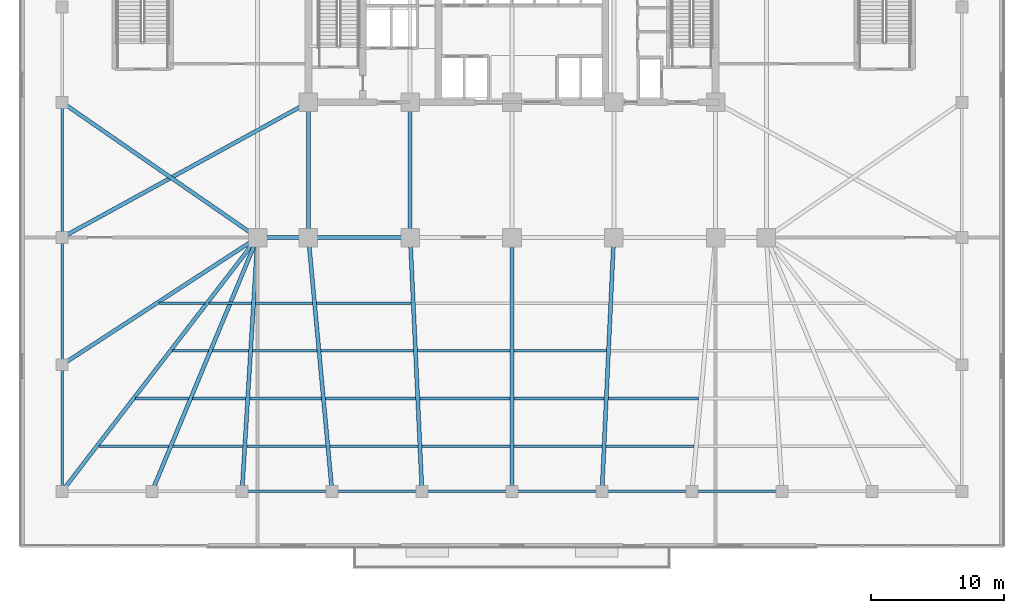
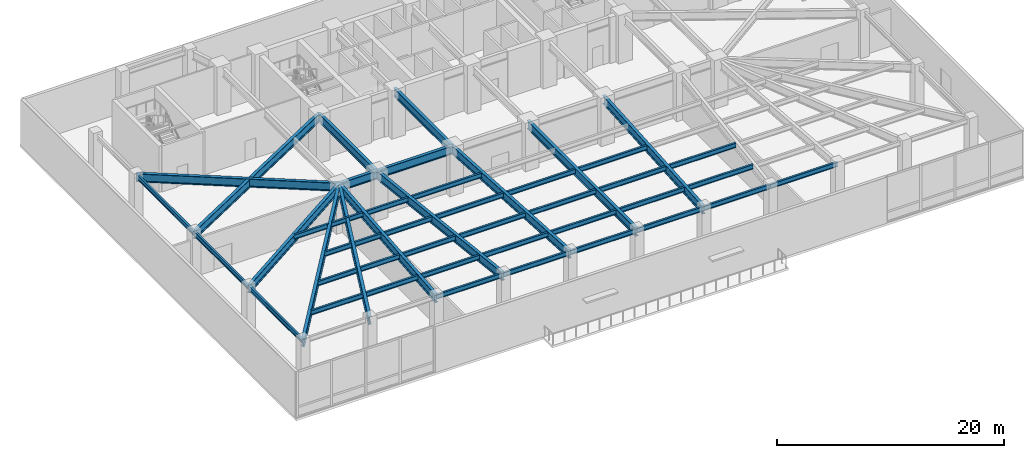
# One storey, part 3 of 15: 47 beams.
"""IFC4 building model written with IfcOpenShell, lengths in metres."""

from ifc_helpers import new_model, si_unit, direction, frame, origin, origin_2d, place, context, subcontext, project, spatial, i_section, extrude, material, material_profile, profile_set, type_object, element, save


model = new_model("IFC4")

# Units and contexts
model_context = context("Model", 3, precision=1e-05, world=origin(), true_north=direction((0.0, 1.0)))
body_context = subcontext(model_context, "Body", "Model", "MODEL_VIEW")
ifc_project = project(units=[si_unit("LENGTHUNIT", "METRE"), si_unit("AREAUNIT", "SQUARE_METRE"), si_unit("VOLUMEUNIT", "CUBIC_METRE"), si_unit("PLANEANGLEUNIT", "RADIAN"), si_unit("MASSUNIT", "GRAM", prefix="KILO")], contexts=[model_context])

# Site, building, storey
site_placement = place(None, origin())
site = spatial("IfcSite", under=ifc_project, at=site_placement, CompositionType="ELEMENT")
building_placement = place(site_placement, origin())
building = spatial("IfcBuilding", under=site, at=building_placement, Name="Yelkora Congress Tower", CompositionType="ELEMENT")
storey_placement = place(building_placement, frame((0.0, 0.0, 10.39990234375)))
storey = spatial("IfcBuildingStorey", under=building, at=storey_placement, Name="L02", CompositionType="ELEMENT", Elevation=10.39990234375)

# Beams
ifc_material_1 = material(Name="Steel S460M", Category="steel")
ifc_material_profile_1 = material_profile(ifc_material_1, i_section(OverallWidth=0.300048828125, OverallDepth=0.89990234375, WebThickness=0.0185546875, FlangeThickness=0.034912109375, FilletRadius=0.030029296875, at=origin_2d()), Name="HEB 900")
ifc_profile_set_1 = profile_set([ifc_material_profile_1], Name="Steel S460M")
beam_type_1 = type_object("IfcBeamType", Name="BM-HALL-HEB900", PredefinedType="BEAM", material=ifc_profile_set_1)
beam_1_placement = place(storey_placement, frame((19.199951171875, 25.199951171875, 4.489990234375), z_axis=(1.0, 0.0, 0.0), x_axis=(0.0, 1.0, 0.0)))
element("IfcBeam", 1, at=beam_1_placement, inside=storey, type_object=beam_type_1, Name="L02 Spine Grid D Girder 1", PredefinedType="BEAM", context=body_context, shape_type="SweptSolid", body=[
    extrude(i_section(OverallWidth=0.300048828125, OverallDepth=0.89990234375, WebThickness=0.0185546875, FlangeThickness=0.034912109375, FilletRadius=0.030029296875, at=origin_2d()), origin(), (0.0, 0.0, 1.0), 3.840087890625),
])
beam_2_placement = place(storey_placement, frame((23.0400390625, 25.199951171875, 4.489990234375), z_axis=(1.0, 0.0, 0.0), x_axis=(0.0, 1.0, 0.0)))
element("IfcBeam", 2, at=beam_2_placement, inside=storey, type_object=beam_type_1, Name="L02 Spine Grid D Girder 2", PredefinedType="BEAM", context=body_context, shape_type="SweptSolid", body=[
    extrude(i_section(OverallWidth=0.300048828125, OverallDepth=0.89990234375, WebThickness=0.0185546875, FlangeThickness=0.034912109375, FilletRadius=0.030029296875, at=origin_2d()), origin(), (0.0, 0.0, 1.0), 7.679931640625),
])
for number, where, z_axis, x_axis, name in (
    (3, (23.0400390625, 25.199951171875, 4.489990234375), (0.0, 1.0, 0.0), (-1.0, 0.0, 0.0), "L02 Core Tie Girder MC-D1"),
    (4, (30.719970703125, 25.199951171875, 4.489990234375), (0.0, 1.0, 0.0), (-1.0, 0.0, 0.0), "L02 Core Tie Girder MC-D2"),
):
    element("IfcBeam", number, at=place(storey_placement, frame(where, z_axis=z_axis, x_axis=x_axis)), inside=storey, type_object=beam_type_1, Name=name, PredefinedType="BEAM", context=body_context, shape_type="SweptSolid", body=[
        extrude(i_section(OverallWidth=0.300048828125, OverallDepth=0.89990234375, WebThickness=0.0185546875, FlangeThickness=0.034912109375, FilletRadius=0.030029296875, at=origin_2d()), origin(), (0.0, 0.0, 1.0), 10.199951171875),
    ])
beam_3_placement = place(storey_placement, frame((4.449951171875, 6.050048828125, 4.489990234375), z_axis=(0.610212418574, 0.792237845737, 0.0), x_axis=(-0.792237845737, 0.610212418574, 0.0)))
element("IfcBeam", 5, at=beam_3_placement, inside=storey, type_object=beam_type_1, Name="L02 Primary Frame Girder PS01", PredefinedType="BEAM", context=body_context, shape_type="SweptSolid", body=[
    extrude(i_section(OverallWidth=0.300048828125, OverallDepth=0.89990234375, WebThickness=0.0185546875, FlangeThickness=0.034912109375, FilletRadius=0.030029296875, at=origin_2d()), origin(), (0.0, 0.0, 1.0), 24.171875),
])
beam_4_placement = place(storey_placement, frame((11.239990234375, 6.050048828125, 4.489990234375), z_axis=(0.383827816401, 0.923404682334, 0.0), x_axis=(-0.923404682334, 0.383827816401, 0.0)))
element("IfcBeam", 6, at=beam_4_placement, inside=storey, type_object=beam_type_1, Name="L02 Primary Frame Girder PS02", PredefinedType="BEAM", context=body_context, shape_type="SweptSolid", body=[
    extrude(i_section(OverallWidth=0.300048828125, OverallDepth=0.89990234375, WebThickness=0.0185546875, FlangeThickness=0.034912109375, FilletRadius=0.030029296875, at=origin_2d()), origin(), (0.0, 0.0, 1.0), 20.73828125),
])
beam_5_placement = place(storey_placement, frame((18.030029296875, 6.050048828125, 4.489990234375), z_axis=(0.060979146345, 0.99813904027, 0.0), x_axis=(-0.99813904027, 0.060979146345, 0.0)))
element("IfcBeam", 7, at=beam_5_placement, inside=storey, type_object=beam_type_1, Name="L02 Primary Frame Girder PS03", PredefinedType="BEAM", context=body_context, shape_type="SweptSolid", body=[
    extrude(i_section(OverallWidth=0.300048828125, OverallDepth=0.89990234375, WebThickness=0.0185546875, FlangeThickness=0.034912109375, FilletRadius=0.030029296875, at=origin_2d()), origin(), (0.0, 0.0, 1.0), 19.185546875),
])
beam_6_placement = place(storey_placement, frame((24.820068359375, 6.050048828125, 4.489990234375), z_axis=(-0.092553417869, 0.995707720589, 0.0), x_axis=(-0.995707720589, -0.092553417869, 0.0)))
element("IfcBeam", 8, at=beam_6_placement, inside=storey, type_object=beam_type_1, Name="L02 Primary Frame Girder PS04", PredefinedType="BEAM", context=body_context, shape_type="SweptSolid", body=[
    extrude(i_section(OverallWidth=0.300048828125, OverallDepth=0.89990234375, WebThickness=0.0185546875, FlangeThickness=0.034912109375, FilletRadius=0.030029296875, at=origin_2d()), origin(), (0.0, 0.0, 1.0), 19.232421875),
])
beam_7_placement = place(storey_placement, frame((31.610107421875, 6.050048828125, 4.489990234375), z_axis=(-0.046432437641, 0.998921432714, 0.0), x_axis=(-0.998921432714, -0.046432437641, 0.0)))
element("IfcBeam", 9, at=beam_7_placement, inside=storey, type_object=beam_type_1, Name="L02 Primary Frame Girder PS05", PredefinedType="BEAM", context=body_context, shape_type="SweptSolid", body=[
    extrude(i_section(OverallWidth=0.300048828125, OverallDepth=0.89990234375, WebThickness=0.0185546875, FlangeThickness=0.034912109375, FilletRadius=0.030029296875, at=origin_2d()), origin(), (0.0, 0.0, 1.0), 19.170654296875),
])
beam_8_placement = place(storey_placement, frame((38.39990234375, 6.050048828125, 4.489990234375), z_axis=(0.0, 1.0, 0.0), x_axis=(-1.0, 0.0, 0.0)))
element("IfcBeam", 10, at=beam_8_placement, inside=storey, type_object=beam_type_1, Name="L02 Primary Frame Girder PS06", PredefinedType="BEAM", context=body_context, shape_type="SweptSolid", body=[
    extrude(i_section(OverallWidth=0.300048828125, OverallDepth=0.89990234375, WebThickness=0.0185546875, FlangeThickness=0.034912109375, FilletRadius=0.030029296875, at=origin_2d()), origin(), (0.0, 0.0, 1.0), 19.14990234375),
])
beam_9_placement = place(storey_placement, frame((45.18994140625, 6.050048828125, 4.489990234375), z_axis=(0.046432437641, 0.998921432714, 0.0), x_axis=(-0.998921432714, 0.046432437641, 0.0)))
element("IfcBeam", 11, at=beam_9_placement, inside=storey, type_object=beam_type_1, Name="L02 Primary Frame Girder PS07", PredefinedType="BEAM", context=body_context, shape_type="SweptSolid", body=[
    extrude(i_section(OverallWidth=0.300048828125, OverallDepth=0.89990234375, WebThickness=0.0185546875, FlangeThickness=0.034912109375, FilletRadius=0.030029296875, at=origin_2d()), origin(), (0.0, 0.0, 1.0), 19.170654296875),
])
beam_10_placement = place(storey_placement, frame((4.449951171875, 15.60009765625, 4.489990234375), z_axis=(0.83812272066, 0.545481718404, 0.0), x_axis=(-0.545481718404, 0.83812272066, 0.0)))
element("IfcBeam", 12, at=beam_10_placement, inside=storey, type_object=beam_type_1, Name="L02 Primary Frame Girder PW1", PredefinedType="BEAM", context=body_context, shape_type="SweptSolid", body=[
    extrude(i_section(OverallWidth=0.300048828125, OverallDepth=0.89990234375, WebThickness=0.0185546875, FlangeThickness=0.034912109375, FilletRadius=0.030029296875, at=origin_2d()), origin(), (0.0, 0.0, 1.0), 17.598876953125),
])
beam_11_placement = place(storey_placement, frame((4.449951171875, 25.199951171875, 4.489990234375), z_axis=(0.876705282536, 0.48102790727, 0.0), x_axis=(-0.48102790727, 0.876705282536, 0.0)))
element("IfcBeam", 13, at=beam_11_placement, inside=storey, type_object=beam_type_1, Name="L02 Primary Frame Girder PW2", PredefinedType="BEAM", context=body_context, shape_type="SweptSolid", body=[
    extrude(i_section(OverallWidth=0.300048828125, OverallDepth=0.89990234375, WebThickness=0.0185546875, FlangeThickness=0.034912109375, FilletRadius=0.030029296875, at=origin_2d()), origin(), (0.0, 0.0, 1.0), 21.20458984375),
])
beam_12_placement = place(storey_placement, frame((4.449951171875, 35.39990234375, 4.489990234375), z_axis=(0.822494466498, -0.568773111689, 0.0), x_axis=(0.568773111689, 0.822494466498, 0.0)))
element("IfcBeam", 14, at=beam_12_placement, inside=storey, type_object=beam_type_1, Name="L02 Primary Frame Girder PW3", PredefinedType="BEAM", context=body_context, shape_type="SweptSolid", body=[
    extrude(i_section(OverallWidth=0.300048828125, OverallDepth=0.89990234375, WebThickness=0.0185546875, FlangeThickness=0.034912109375, FilletRadius=0.030029296875, at=origin_2d()), origin(), (0.0, 0.0, 1.0), 17.933349609375),
])
ifc_material_2 = material(Name="Steel S355J2", Category="steel")
ifc_material_profile_2 = material_profile(ifc_material_2, i_section(OverallWidth=0.199951171875, OverallDepth=0.5, WebThickness=0.01025390625, FlangeThickness=0.01611328125, FilletRadius=0.02099609375, at=origin_2d()), Name="IPE 500")
ifc_profile_set_2 = profile_set([ifc_material_profile_2], Name="Steel S355J2")
beam_type_2 = type_object("IfcBeamType", Name="BM-JOIST-IPE500", PredefinedType="JOIST", material=ifc_profile_set_2)
beam_13_placement = place(storey_placement, frame((7.228759765625, 9.449951171875, 4.690185546875), z_axis=(1.0, 0.0, 0.0), x_axis=(0.0, 1.0, 0.0)))
element("IfcBeam", 15, at=beam_13_placement, inside=storey, type_object=beam_type_2, Name="L02 Composite Floor Joist 1", PredefinedType="JOIST", context=body_context, shape_type="SweptSolid", body=[
    extrude(i_section(OverallWidth=0.199951171875, OverallDepth=0.5, WebThickness=0.01025390625, FlangeThickness=0.01611328125, FilletRadius=0.02099609375, at=origin_2d()), origin(), (0.0, 0.0, 1.0), 5.2646484375),
])
beam_14_placement = place(storey_placement, frame((12.813232421875, 9.449951171875, 4.690185546875), z_axis=(1.0, 0.0, 0.0), x_axis=(0.0, 1.0, 0.0)))
element("IfcBeam", 16, at=beam_14_placement, inside=storey, type_object=beam_type_2, Name="L02 Composite Floor Joist 2", PredefinedType="JOIST", context=body_context, shape_type="SweptSolid", body=[
    extrude(i_section(OverallWidth=0.199951171875, OverallDepth=0.5, WebThickness=0.01025390625, FlangeThickness=0.01611328125, FilletRadius=0.02099609375, at=origin_2d()), origin(), (0.0, 0.0, 1.0), 5.264404296875),
])
beam_15_placement = place(storey_placement, frame((18.397705078125, 9.449951171875, 4.690185546875), z_axis=(1.0, 0.0, 0.0), x_axis=(0.0, 1.0, 0.0)))
element("IfcBeam", 17, at=beam_15_placement, inside=storey, type_object=beam_type_2, Name="L02 Composite Floor Joist 3", PredefinedType="JOIST", context=body_context, shape_type="SweptSolid", body=[
    extrude(i_section(OverallWidth=0.199951171875, OverallDepth=0.5, WebThickness=0.01025390625, FlangeThickness=0.01611328125, FilletRadius=0.02099609375, at=origin_2d()), origin(), (0.0, 0.0, 1.0), 5.9462890625),
])
for number, where, z_axis, x_axis, name in (
    (18, (24.6640625, 9.449951171875, 4.690185546875), (1.0, 0.0, 0.0), (0.0, 1.0, 0.0), "L02 Composite Floor Joist 4"),
    (19, (31.612060546875, 9.449951171875, 4.690185546875), (1.0, 0.0, 0.0), (0.0, 1.0, 0.0), "L02 Composite Floor Joist 5"),
    (20, (38.56005859375, 9.449951171875, 4.690185546875), (1.0, 0.0, 0.0), (0.0, 1.0, 0.0), "L02 Composite Floor Joist 6"),
    (21, (45.508056640625, 9.449951171875, 4.690185546875), (1.0, 0.0, 0.0), (0.0, 1.0, 0.0), "L02 Composite Floor Joist 7"),
):
    element("IfcBeam", number, at=place(storey_placement, frame(where, z_axis=z_axis, x_axis=x_axis)), inside=storey, type_object=beam_type_2, Name=name, PredefinedType="JOIST", context=body_context, shape_type="SweptSolid", body=[
        extrude(i_section(OverallWidth=0.199951171875, OverallDepth=0.5, WebThickness=0.01025390625, FlangeThickness=0.01611328125, FilletRadius=0.02099609375, at=origin_2d()), origin(), (0.0, 0.0, 1.0), 6.6279296875),
    ])
beam_16_placement = place(storey_placement, frame((10.001708984375, 13.050048828125, 4.690185546875), z_axis=(1.0, 0.0, 0.0), x_axis=(0.0, 1.0, 0.0)))
element("IfcBeam", 22, at=beam_16_placement, inside=storey, type_object=beam_type_2, Name="L02 Composite Floor Joist 11", PredefinedType="JOIST", context=body_context, shape_type="SweptSolid", body=[
    extrude(i_section(OverallWidth=0.199951171875, OverallDepth=0.5, WebThickness=0.01025390625, FlangeThickness=0.01611328125, FilletRadius=0.02099609375, at=origin_2d()), origin(), (0.0, 0.0, 1.0), 3.988037109375),
])
beam_17_placement = place(storey_placement, frame((14.309814453125, 13.050048828125, 4.690185546875), z_axis=(1.0, 0.0, 0.0), x_axis=(0.0, 1.0, 0.0)))
element("IfcBeam", 23, at=beam_17_placement, inside=storey, type_object=beam_type_2, Name="L02 Composite Floor Joist 12", PredefinedType="JOIST", context=body_context, shape_type="SweptSolid", body=[
    extrude(i_section(OverallWidth=0.199951171875, OverallDepth=0.5, WebThickness=0.01025390625, FlangeThickness=0.01611328125, FilletRadius=0.02099609375, at=origin_2d()), origin(), (0.0, 0.0, 1.0), 3.98779296875),
])
beam_18_placement = place(storey_placement, frame((18.61767578125, 13.050048828125, 4.690185546875), z_axis=(1.0, 0.0, 0.0), x_axis=(0.0, 1.0, 0.0)))
element("IfcBeam", 24, at=beam_18_placement, inside=storey, type_object=beam_type_2, Name="L02 Composite Floor Joist 13", PredefinedType="JOIST", context=body_context, shape_type="SweptSolid", body=[
    extrude(i_section(OverallWidth=0.199951171875, OverallDepth=0.5, WebThickness=0.01025390625, FlangeThickness=0.01611328125, FilletRadius=0.02099609375, at=origin_2d()), origin(), (0.0, 0.0, 1.0), 5.3916015625),
])
for number, where, z_axis, x_axis, name in (
    (25, (24.329345703125, 13.050048828125, 4.690185546875), (1.0, 0.0, 0.0), (0.0, 1.0, 0.0), "L02 Composite Floor Joist 14"),
    (26, (31.444580078125, 13.050048828125, 4.690185546875), (1.0, 0.0, 0.0), (0.0, 1.0, 0.0), "L02 Composite Floor Joist 15"),
):
    element("IfcBeam", number, at=place(storey_placement, frame(where, z_axis=z_axis, x_axis=x_axis)), inside=storey, type_object=beam_type_2, Name=name, PredefinedType="JOIST", context=body_context, shape_type="SweptSolid", body=[
        extrude(i_section(OverallWidth=0.199951171875, OverallDepth=0.5, WebThickness=0.01025390625, FlangeThickness=0.01611328125, FilletRadius=0.02099609375, at=origin_2d()), origin(), (0.0, 0.0, 1.0), 6.79541015625),
    ])
beam_19_placement = place(storey_placement, frame((38.56005859375, 13.050048828125, 4.690185546875), z_axis=(1.0, 0.0, 0.0), x_axis=(0.0, 1.0, 0.0)))
element("IfcBeam", 27, at=beam_19_placement, inside=storey, type_object=beam_type_2, Name="L02 Composite Floor Joist 16", PredefinedType="JOIST", context=body_context, shape_type="SweptSolid", body=[
    extrude(i_section(OverallWidth=0.199951171875, OverallDepth=0.5, WebThickness=0.01025390625, FlangeThickness=0.01611328125, FilletRadius=0.02099609375, at=origin_2d()), origin(), (0.0, 0.0, 1.0), 6.795166015625),
])
beam_20_placement = place(storey_placement, frame((45.67529296875, 13.050048828125, 4.690185546875), z_axis=(1.0, 0.0, 0.0), x_axis=(0.0, 1.0, 0.0)))
element("IfcBeam", 28, at=beam_20_placement, inside=storey, type_object=beam_type_2, Name="L02 Composite Floor Joist 17", PredefinedType="JOIST", context=body_context, shape_type="SweptSolid", body=[
    extrude(i_section(OverallWidth=0.199951171875, OverallDepth=0.5, WebThickness=0.01025390625, FlangeThickness=0.01611328125, FilletRadius=0.02099609375, at=origin_2d()), origin(), (0.0, 0.0, 1.0), 6.79541015625),
])
beam_21_placement = place(storey_placement, frame((12.7744140625, 16.64990234375, 4.690185546875), z_axis=(1.0, 0.0, 0.0), x_axis=(0.0, 1.0, 0.0)))
element("IfcBeam", 29, at=beam_21_placement, inside=storey, type_object=beam_type_2, Name="L02 Composite Floor Joist 21", PredefinedType="JOIST", context=body_context, shape_type="SweptSolid", body=[
    extrude(i_section(OverallWidth=0.199951171875, OverallDepth=0.5, WebThickness=0.01025390625, FlangeThickness=0.01611328125, FilletRadius=0.02099609375, at=origin_2d()), origin(), (0.0, 0.0, 1.0), 2.711669921875),
])
beam_22_placement = place(storey_placement, frame((15.80615234375, 16.64990234375, 4.690185546875), z_axis=(1.0, 0.0, 0.0), x_axis=(0.0, 1.0, 0.0)))
element("IfcBeam", 30, at=beam_22_placement, inside=storey, type_object=beam_type_2, Name="L02 Composite Floor Joist 22", PredefinedType="JOIST", context=body_context, shape_type="SweptSolid", body=[
    extrude(i_section(OverallWidth=0.199951171875, OverallDepth=0.5, WebThickness=0.01025390625, FlangeThickness=0.01611328125, FilletRadius=0.02099609375, at=origin_2d()), origin(), (0.0, 0.0, 1.0), 2.71142578125),
])
beam_23_placement = place(storey_placement, frame((18.837646484375, 16.64990234375, 4.690185546875), z_axis=(1.0, 0.0, 0.0), x_axis=(0.0, 1.0, 0.0)))
element("IfcBeam", 31, at=beam_23_placement, inside=storey, type_object=beam_type_2, Name="L02 Composite Floor Joist 23", PredefinedType="JOIST", context=body_context, shape_type="SweptSolid", body=[
    extrude(i_section(OverallWidth=0.199951171875, OverallDepth=0.5, WebThickness=0.01025390625, FlangeThickness=0.01611328125, FilletRadius=0.02099609375, at=origin_2d()), origin(), (0.0, 0.0, 1.0), 4.837158203125),
])
beam_24_placement = place(storey_placement, frame((23.99462890625, 16.64990234375, 4.690185546875), z_axis=(1.0, 0.0, 0.0), x_axis=(0.0, 1.0, 0.0)))
element("IfcBeam", 32, at=beam_24_placement, inside=storey, type_object=beam_type_2, Name="L02 Composite Floor Joist 24", PredefinedType="JOIST", context=body_context, shape_type="SweptSolid", body=[
    extrude(i_section(OverallWidth=0.199951171875, OverallDepth=0.5, WebThickness=0.01025390625, FlangeThickness=0.01611328125, FilletRadius=0.02099609375, at=origin_2d()), origin(), (0.0, 0.0, 1.0), 6.962890625),
])
for number, where, z_axis, x_axis, name in (
    (33, (31.27734375, 16.64990234375, 4.690185546875), (1.0, 0.0, 0.0), (0.0, 1.0, 0.0), "L02 Composite Floor Joist 25"),
    (34, (38.56005859375, 16.64990234375, 4.690185546875), (1.0, 0.0, 0.0), (0.0, 1.0, 0.0), "L02 Composite Floor Joist 26"),
):
    element("IfcBeam", number, at=place(storey_placement, frame(where, z_axis=z_axis, x_axis=x_axis)), inside=storey, type_object=beam_type_2, Name=name, PredefinedType="JOIST", context=body_context, shape_type="SweptSolid", body=[
        extrude(i_section(OverallWidth=0.199951171875, OverallDepth=0.5, WebThickness=0.01025390625, FlangeThickness=0.01611328125, FilletRadius=0.02099609375, at=origin_2d()), origin(), (0.0, 0.0, 1.0), 6.962646484375),
    ])
beam_25_placement = place(storey_placement, frame((11.75439453125, 20.25, 4.690185546875), z_axis=(1.0, 0.0, 0.0), x_axis=(0.0, 1.0, 0.0)))
element("IfcBeam", 35, at=beam_25_placement, inside=storey, type_object=beam_type_2, Name="L02 Composite Floor Joist 32", PredefinedType="JOIST", context=body_context, shape_type="SweptSolid", body=[
    extrude(i_section(OverallWidth=0.199951171875, OverallDepth=0.5, WebThickness=0.01025390625, FlangeThickness=0.01611328125, FilletRadius=0.02099609375, at=origin_2d()), origin(), (0.0, 0.0, 1.0), 3.472900390625),
])
beam_26_placement = place(storey_placement, frame((15.54736328125, 20.25, 4.690185546875), z_axis=(1.0, 0.0, 0.0), x_axis=(0.0, 1.0, 0.0)))
element("IfcBeam", 36, at=beam_26_placement, inside=storey, type_object=beam_type_2, Name="L02 Composite Floor Joist 33", PredefinedType="JOIST", context=body_context, shape_type="SweptSolid", body=[
    extrude(i_section(OverallWidth=0.199951171875, OverallDepth=0.5, WebThickness=0.01025390625, FlangeThickness=0.01611328125, FilletRadius=0.02099609375, at=origin_2d()), origin(), (0.0, 0.0, 1.0), 3.190185546875),
])
beam_27_placement = place(storey_placement, frame((19.0576171875, 20.25, 4.690185546875), z_axis=(1.0, 0.0, 0.0), x_axis=(0.0, 1.0, 0.0)))
element("IfcBeam", 37, at=beam_27_placement, inside=storey, type_object=beam_type_2, Name="L02 Composite Floor Joist 34", PredefinedType="JOIST", context=body_context, shape_type="SweptSolid", body=[
    extrude(i_section(OverallWidth=0.199951171875, OverallDepth=0.5, WebThickness=0.01025390625, FlangeThickness=0.01611328125, FilletRadius=0.02099609375, at=origin_2d()), origin(), (0.0, 0.0, 1.0), 4.282470703125),
])
beam_28_placement = place(storey_placement, frame((23.66015625, 20.25, 4.690185546875), z_axis=(1.0, 0.0, 0.0), x_axis=(0.0, 1.0, 0.0)))
element("IfcBeam", 38, at=beam_28_placement, inside=storey, type_object=beam_type_2, Name="L02 Composite Floor Joist 35", PredefinedType="JOIST", context=body_context, shape_type="SweptSolid", body=[
    extrude(i_section(OverallWidth=0.199951171875, OverallDepth=0.5, WebThickness=0.01025390625, FlangeThickness=0.01611328125, FilletRadius=0.02099609375, at=origin_2d()), origin(), (0.0, 0.0, 1.0), 7.1298828125),
])
ifc_material_profile_3 = material_profile(ifc_material_2, i_section(OverallWidth=0.199951171875, OverallDepth=0.5, WebThickness=0.01025390625, FlangeThickness=0.01611328125, FilletRadius=0.02099609375, at=origin_2d()), Name="IPE 500")
ifc_profile_set_3 = profile_set([ifc_material_profile_3], Name="Steel S355J2")
beam_type_3 = type_object("IfcBeamType", Name="BM-SPAN-IPE500B", PredefinedType="BEAM", material=ifc_profile_set_3)
beam_29_placement = place(storey_placement, frame((4.449951171875, 15.60009765625, 4.690185546875), z_axis=(0.0, -1.0, 0.0), x_axis=(1.0, 0.0, 0.0)))
element("IfcBeam", 39, at=beam_29_placement, inside=storey, type_object=beam_type_3, Name="L02 Perimeter Beam 1", PredefinedType="BEAM", context=body_context, shape_type="SweptSolid", body=[
    extrude(i_section(OverallWidth=0.199951171875, OverallDepth=0.5, WebThickness=0.01025390625, FlangeThickness=0.01611328125, FilletRadius=0.02099609375, at=origin_2d()), origin(), (0.0, 0.0, 1.0), 9.550048828125),
])
for number, where, z_axis, x_axis, name in (
    (40, (18.030029296875, 6.050048828125, 4.690185546875), (1.0, 0.0, 0.0), (0.0, 1.0, 0.0), "L02 Perimeter Beam 4"),
    (41, (24.820068359375, 6.050048828125, 4.690185546875), (1.0, 0.0, 0.0), (0.0, 1.0, 0.0), "L02 Perimeter Beam 5"),
):
    element("IfcBeam", number, at=place(storey_placement, frame(where, z_axis=z_axis, x_axis=x_axis)), inside=storey, type_object=beam_type_3, Name=name, PredefinedType="BEAM", context=body_context, shape_type="SweptSolid", body=[
        extrude(i_section(OverallWidth=0.199951171875, OverallDepth=0.5, WebThickness=0.01025390625, FlangeThickness=0.01611328125, FilletRadius=0.02099609375, at=origin_2d()), origin(), (0.0, 0.0, 1.0), 6.7900390625),
    ])
beam_30_placement = place(storey_placement, frame((31.610107421875, 6.050048828125, 4.690185546875), z_axis=(1.0, 0.0, 0.0), x_axis=(0.0, 1.0, 0.0)))
element("IfcBeam", 42, at=beam_30_placement, inside=storey, type_object=beam_type_3, Name="L02 Perimeter Beam 6", PredefinedType="BEAM", context=body_context, shape_type="SweptSolid", body=[
    extrude(i_section(OverallWidth=0.199951171875, OverallDepth=0.5, WebThickness=0.01025390625, FlangeThickness=0.01611328125, FilletRadius=0.02099609375, at=origin_2d()), origin(), (0.0, 0.0, 1.0), 6.789794921875),
])
for number, where, z_axis, x_axis, name in (
    (43, (38.39990234375, 6.050048828125, 4.690185546875), (1.0, 0.0, 0.0), (0.0, 1.0, 0.0), "L02 Perimeter Beam 7"),
    (44, (45.18994140625, 6.050048828125, 4.690185546875), (1.0, 0.0, 0.0), (0.0, 1.0, 0.0), "L02 Perimeter Beam 8"),
    (45, (51.97998046875, 6.050048828125, 4.690185546875), (1.0, 0.0, 0.0), (0.0, 1.0, 0.0), "L02 Perimeter Beam 9"),
):
    element("IfcBeam", number, at=place(storey_placement, frame(where, z_axis=z_axis, x_axis=x_axis)), inside=storey, type_object=beam_type_3, Name=name, PredefinedType="BEAM", context=body_context, shape_type="SweptSolid", body=[
        extrude(i_section(OverallWidth=0.199951171875, OverallDepth=0.5, WebThickness=0.01025390625, FlangeThickness=0.01611328125, FilletRadius=0.02099609375, at=origin_2d()), origin(), (0.0, 0.0, 1.0), 6.7900390625),
    ])
beam_31_placement = place(storey_placement, frame((4.449951171875, 35.39990234375, 4.690185546875), z_axis=(0.0, -1.0, 0.0), x_axis=(1.0, 0.0, 0.0)))
element("IfcBeam", 46, at=beam_31_placement, inside=storey, type_object=beam_type_3, Name="L02 Perimeter Beam 23", PredefinedType="BEAM", context=body_context, shape_type="SweptSolid", body=[
    extrude(i_section(OverallWidth=0.199951171875, OverallDepth=0.5, WebThickness=0.01025390625, FlangeThickness=0.01611328125, FilletRadius=0.02099609375, at=origin_2d()), origin(), (0.0, 0.0, 1.0), 10.199951171875),
])
beam_32_placement = place(storey_placement, frame((4.449951171875, 25.199951171875, 4.690185546875), z_axis=(0.0, -1.0, 0.0), x_axis=(1.0, 0.0, 0.0)))
element("IfcBeam", 47, at=beam_32_placement, inside=storey, type_object=beam_type_3, Name="L02 Perimeter Beam 24", PredefinedType="BEAM", context=body_context, shape_type="SweptSolid", body=[
    extrude(i_section(OverallWidth=0.199951171875, OverallDepth=0.5, WebThickness=0.01025390625, FlangeThickness=0.01611328125, FilletRadius=0.02099609375, at=origin_2d()), origin(), (0.0, 0.0, 1.0), 9.599853515625),
])

save(model, "model.ifc")
